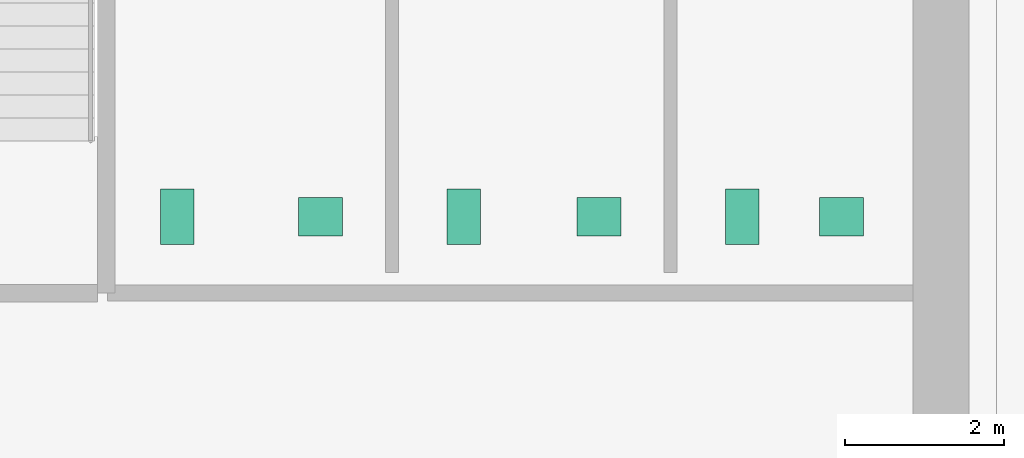
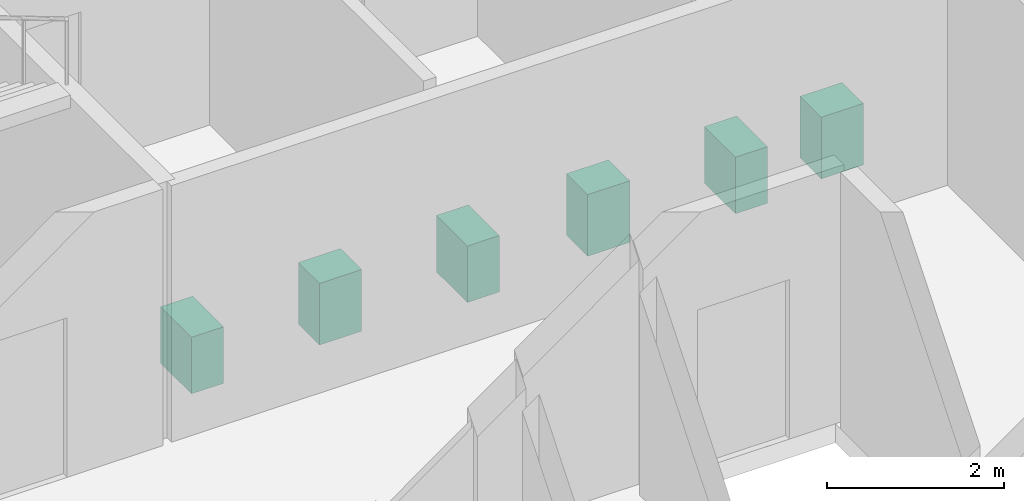
# One storey, part 11 of 11: 6 sanitary terminals.
"""IFC4 building model written with IfcOpenShell, lengths in metres."""

from ifc_helpers import new_model, si_unit, direction, frame, origin, origin_2d, place, context, subcontext, project, spatial, rectangle, extrude, material, type_object, element, save


model = new_model("IFC4")

# Units and contexts
model_context = context("Model", 3, precision=1e-05, world=origin(), true_north=direction((0.0, 1.0)))
body_context = subcontext(model_context, "Body", "Model", "MODEL_VIEW")
ifc_project = project(units=[si_unit("LENGTHUNIT", "METRE"), si_unit("AREAUNIT", "SQUARE_METRE"), si_unit("VOLUMEUNIT", "CUBIC_METRE"), si_unit("PLANEANGLEUNIT", "RADIAN"), si_unit("MASSUNIT", "GRAM", prefix="KILO")], contexts=[model_context])

# Site, building, storey
site_placement = place(None, origin())
site = spatial("IfcSite", under=ifc_project, at=site_placement, CompositionType="ELEMENT")
building_placement = place(site_placement, origin())
building = spatial("IfcBuilding", under=site, at=building_placement, Name="Norrvale University Quadrangle", CompositionType="ELEMENT")
storey_placement = place(building_placement, frame((0.0, 0.0, 128.0)))
storey = spatial("IfcBuildingStorey", under=building, at=storey_placement, Name="L32", CompositionType="ELEMENT", Elevation=128.0)

# Sanitary terminals
ifc_material = material(Name="Vitreous China Sanitaryware")
sanitary_terminal_type_1 = type_object("IfcSanitaryTerminalType", Name="Sanitary Wash Basin", PredefinedType="WASHHANDBASIN", material=ifc_material)
for number, where, z_axis, x_axis, name in (
    (1, (9.0, 41.10009765625, 0.0), (0.0, 0.0, 1.0), (1.0, 0.0, 0.0), "Accessible Countertop Washbasin L32-1"),
    (2, (12.5, 41.10009765625, 0.0), (0.0, 0.0, 1.0), (1.0, 0.0, 0.0), "Accessible Countertop Washbasin L32-2"),
    (3, (15.550048828125, 41.10009765625, 0.0), (0.0, 0.0, 1.0), (1.0, 0.0, 0.0), "Accessible Countertop Washbasin L32-3"),
):
    element("IfcSanitaryTerminal", number, at=place(storey_placement, frame(where, z_axis=z_axis, x_axis=x_axis)), inside=storey, type_object=sanitary_terminal_type_1, Name=name, PredefinedType="WASHHANDBASIN", context=body_context, shape_type="SweptSolid", body=[
        extrude(rectangle(XDim=0.550048828125, YDim=0.47998046875, at=origin_2d()), origin(), (0.0, 0.0, 1.0), 0.85009765625),
    ])
sanitary_terminal_type_2 = type_object("IfcSanitaryTerminalType", Name="Sanitary Water Closet", PredefinedType="TOILETPAN", material=ifc_material)
for number, where, z_axis, x_axis, name in (
    (4, (7.199951171875, 41.10009765625, 0.0), (0.0, 0.0, 1.0), (1.0, 0.0, 0.0), "Wall-Hung Water Closet L32-1"),
    (5, (10.800048828125, 41.10009765625, 0.0), (0.0, 0.0, 1.0), (1.0, 0.0, 0.0), "Wall-Hung Water Closet L32-2"),
    (6, (14.300048828125, 41.10009765625, 0.0), (0.0, 0.0, 1.0), (1.0, 0.0, 0.0), "Wall-Hung Water Closet L32-3"),
):
    element("IfcSanitaryTerminal", number, at=place(storey_placement, frame(where, z_axis=z_axis, x_axis=x_axis)), inside=storey, type_object=sanitary_terminal_type_2, Name=name, PredefinedType="TOILETPAN", context=body_context, shape_type="SweptSolid", body=[
        extrude(rectangle(XDim=0.419921875, YDim=0.699951171875, at=origin_2d()), origin(), (0.0, 0.0, 1.0), 0.780029296875),
    ])

save(model, "model.ifc")
